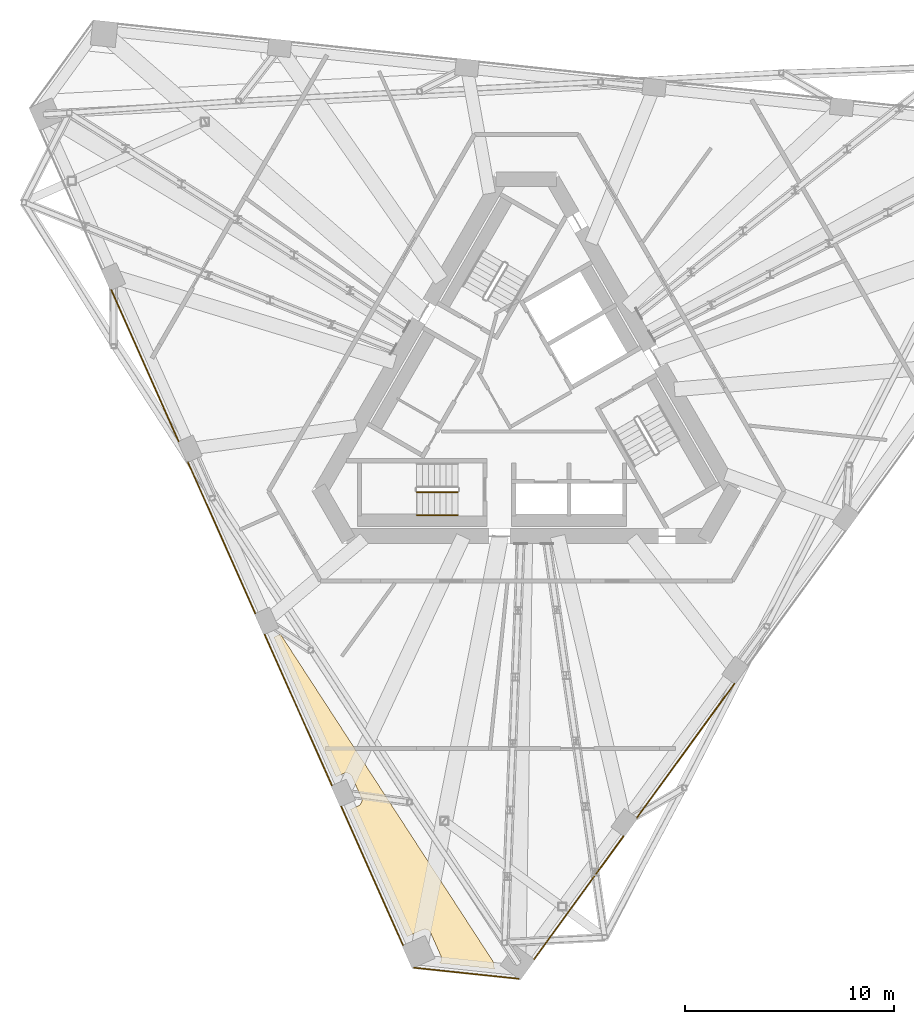
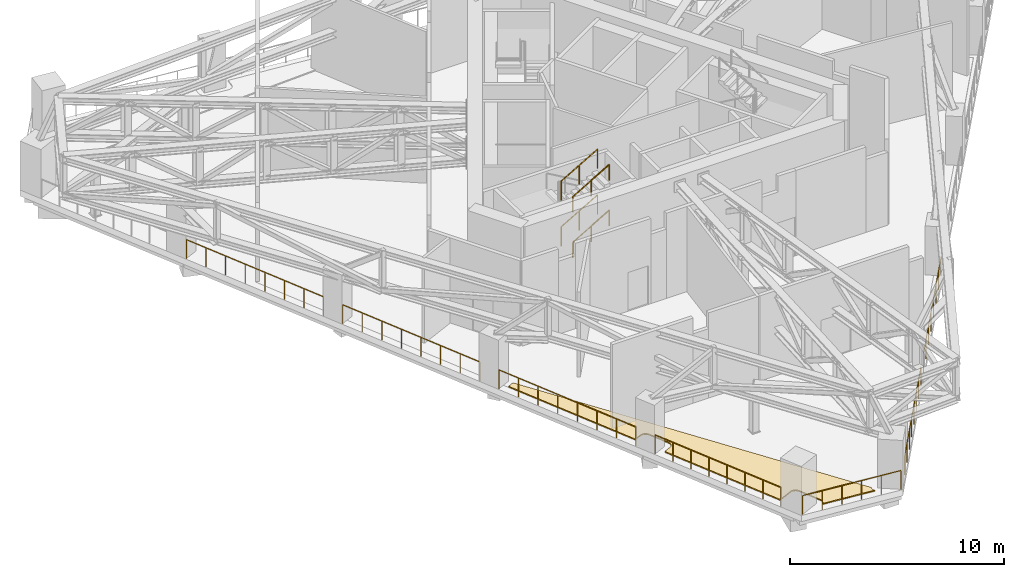
# One storey, part 16 of 20: 11 railings, 2 coverings.
"""IFC4 building model written with IfcOpenShell, lengths in metres."""

from ifc_helpers import new_model, si_unit, direction, frame, origin, origin_2d, place, context, subcontext, project, spatial, polyline, circle, outline, extrude, material, layer, layer_set, type_object, element, save


model = new_model("IFC4")

# Units and contexts
model_context = context("Model", 3, precision=1e-05, world=origin(), true_north=direction((0.0, 1.0)))
body_context = subcontext(model_context, "Body", "Model", "MODEL_VIEW")
ifc_project = project(units=[si_unit("LENGTHUNIT", "METRE"), si_unit("AREAUNIT", "SQUARE_METRE"), si_unit("VOLUMEUNIT", "CUBIC_METRE"), si_unit("PLANEANGLEUNIT", "RADIAN"), si_unit("MASSUNIT", "GRAM", prefix="KILO")], contexts=[model_context])

# Site, building, storey
site_placement = place(None, origin())
site = spatial("IfcSite", under=ifc_project, at=site_placement, CompositionType="ELEMENT")
building_placement = place(site_placement, origin())
building = spatial("IfcBuilding", under=site, at=building_placement, Name="Tramontana Tower", CompositionType="ELEMENT")
storey_placement = place(building_placement, frame((0.0, 0.0, 269.199951171875)))
storey = spatial("IfcBuildingStorey", under=building, at=storey_placement, Name="L63", CompositionType="ELEMENT", Elevation=269.199951171875)

# Railings
ifc_material_1 = material(Name="Stainless steel rail and posts", Category="steel")
railing_type_1 = type_object("IfcRailingType", Name="GD2 Terrace guard 1100", PredefinedType="GUARDRAIL", material=ifc_material_1)
railing_1_placement = place(storey_placement, frame((-19.84228515625, 5.35205078125, 0.0)))
element("IfcRailing", 1, at=railing_1_placement, inside=storey, type_object=railing_type_1, Name="Edge guard L63 3", PredefinedType="GUARDRAIL", context=body_context, shape_type="SweptSolid", body=[
    extrude(circle(Radius=0.02392578125, at=origin_2d()), frame((0.0, 0.0, 1.076171875), z_axis=(0.406722833541, -0.913551605918, 0.0), x_axis=(0.913551605918, 0.406722833541, 0.0)), (0.0, 0.0, 1.0), 7.90673828125),
    extrude(circle(Radius=0.02099609375, at=origin_2d()), origin(), (0.0, 0.0, 1.0), 1.052001953125),
    extrude(circle(Radius=0.02099609375, at=origin_2d()), frame((0.45947265625, -1.031982421875, 0.0)), (0.0, 0.0, 1.0), 1.052001953125),
    extrude(circle(Radius=0.02099609375, at=origin_2d()), frame((0.918701171875, -2.063720703125, 0.0)), (0.0, 0.0, 1.0), 1.052001953125),
    extrude(circle(Radius=0.02099609375, at=origin_2d()), frame((1.378173828125, -3.095703125, 0.0)), (0.0, 0.0, 1.0), 1.052001953125),
    extrude(circle(Radius=0.02099609375, at=origin_2d()), frame((1.837646484375, -4.12744140625, 0.0)), (0.0, 0.0, 1.0), 1.052001953125),
    extrude(circle(Radius=0.02099609375, at=origin_2d()), frame((2.297119140625, -5.159423828125, 0.0)), (0.0, 0.0, 1.0), 1.052001953125),
    extrude(circle(Radius=0.02099609375, at=origin_2d()), frame((2.75634765625, -6.191162109375, 0.0)), (0.0, 0.0, 1.0), 1.052001953125),
    extrude(circle(Radius=0.02099609375, at=origin_2d()), frame((3.2158203125, -7.22314453125, 0.0)), (0.0, 0.0, 1.0), 1.052001953125),
])
for number, where, name in (
    (2, (-16.178955078125, -2.8759765625, 0.0), "Edge guard L63 5"),
    (3, (-12.515625, -11.10400390625, 0.0), "Edge guard L63 6"),
):
    element("IfcRailing", number, at=place(storey_placement, frame(where)), inside=storey, type_object=railing_type_1, Name=name, PredefinedType="GUARDRAIL", context=body_context, shape_type="SweptSolid", body=[
        extrude(circle(Radius=0.02392578125, at=origin_2d()), frame((0.0, 0.0, 1.076171875), z_axis=(0.406734306872, -0.913546497784, 0.0), x_axis=(0.913546497784, 0.406734306872, 0.0)), (0.0, 0.0, 1.0), 7.906494140625),
        extrude(circle(Radius=0.02099609375, at=origin_2d()), origin(), (0.0, 0.0, 1.0), 1.052001953125),
        extrude(circle(Radius=0.02099609375, at=origin_2d()), frame((0.45947265625, -1.03173828125, 0.0)), (0.0, 0.0, 1.0), 1.052001953125),
        extrude(circle(Radius=0.02099609375, at=origin_2d()), frame((0.918701171875, -2.063720703125, 0.0)), (0.0, 0.0, 1.0), 1.052001953125),
        extrude(circle(Radius=0.02099609375, at=origin_2d()), frame((1.378173828125, -3.095458984375, 0.0)), (0.0, 0.0, 1.0), 1.052001953125),
        extrude(circle(Radius=0.02099609375, at=origin_2d()), frame((1.837646484375, -4.12744140625, 0.0)), (0.0, 0.0, 1.0), 1.052001953125),
        extrude(circle(Radius=0.02099609375, at=origin_2d()), frame((2.297119140625, -5.1591796875, 0.0)), (0.0, 0.0, 1.0), 1.052001953125),
        extrude(circle(Radius=0.02099609375, at=origin_2d()), frame((2.75634765625, -6.191162109375, 0.0)), (0.0, 0.0, 1.0), 1.052001953125),
        extrude(circle(Radius=0.02099609375, at=origin_2d()), frame((3.2158203125, -7.222900390625, 0.0)), (0.0, 0.0, 1.0), 1.052001953125),
    ])
railing_2_placement = place(storey_placement, frame((-8.852294921875, -19.331787109375, 0.0)))
element("IfcRailing", 4, at=railing_2_placement, inside=storey, type_object=railing_type_1, Name="Edge guard L63 8", PredefinedType="GUARDRAIL", context=body_context, shape_type="SweptSolid", body=[
    extrude(circle(Radius=0.02392578125, at=origin_2d()), frame((0.0, 0.0, 1.076171875), z_axis=(0.406715873332, -0.913554704645, 0.0), x_axis=(0.913554704645, 0.406715873332, 0.0)), (0.0, 0.0, 1.0), 7.256591796875),
    extrude(circle(Radius=0.02099609375, at=origin_2d()), origin(), (0.0, 0.0, 1.0), 1.052001953125),
    extrude(circle(Radius=0.02099609375, at=origin_2d()), frame((0.421630859375, -0.947021484375, 0.0)), (0.0, 0.0, 1.0), 1.052001953125),
    extrude(circle(Radius=0.02099609375, at=origin_2d()), frame((0.84326171875, -1.89404296875, 0.0)), (0.0, 0.0, 1.0), 1.052001953125),
    extrude(circle(Radius=0.02099609375, at=origin_2d()), frame((1.264892578125, -2.841064453125, 0.0)), (0.0, 0.0, 1.0), 1.052001953125),
    extrude(circle(Radius=0.02099609375, at=origin_2d()), frame((1.6865234375, -3.788330078125, 0.0)), (0.0, 0.0, 1.0), 1.052001953125),
    extrude(circle(Radius=0.02099609375, at=origin_2d()), frame((2.108154296875, -4.7353515625, 0.0)), (0.0, 0.0, 1.0), 1.052001953125),
    extrude(circle(Radius=0.02099609375, at=origin_2d()), frame((2.52978515625, -5.682373046875, 0.0)), (0.0, 0.0, 1.0), 1.052001953125),
    extrude(circle(Radius=0.02099609375, at=origin_2d()), frame((2.951416015625, -6.62939453125, 0.0)), (0.0, 0.0, 1.0), 1.052001953125),
])
railing_3_placement = place(storey_placement, frame((-5.366943359375, -27.037109375, 0.0)))
element("IfcRailing", 5, at=railing_3_placement, inside=storey, type_object=railing_type_1, Name="Edge guard L63 9", PredefinedType="GUARDRAIL", context=body_context, shape_type="SweptSolid", body=[
    extrude(circle(Radius=0.02392578125, at=origin_2d()), frame((0.0, 0.0, 1.076171875), z_axis=(0.994519559485, -0.104550685326, 0.0), x_axis=(0.104550685326, 0.994519559485, 0.0)), (0.0, 0.0, 1.0), 5.02294921875),
    extrude(circle(Radius=0.02099609375, at=origin_2d()), origin(), (0.0, 0.0, 1.0), 1.052001953125),
    extrude(circle(Radius=0.02099609375, at=origin_2d()), frame((0.9990234375, -0.10498046875, 0.0)), (0.0, 0.0, 1.0), 1.052001953125),
    extrude(circle(Radius=0.02099609375, at=origin_2d()), frame((1.998046875, -0.2099609375, 0.0)), (0.0, 0.0, 1.0), 1.052001953125),
    extrude(circle(Radius=0.02099609375, at=origin_2d()), frame((2.997314453125, -0.315185546875, 0.0)), (0.0, 0.0, 1.0), 1.052001953125),
    extrude(circle(Radius=0.02099609375, at=origin_2d()), frame((3.996337890625, -0.420166015625, 0.0)), (0.0, 0.0, 1.0), 1.052001953125),
    extrude(circle(Radius=0.02099609375, at=origin_2d()), frame((4.995361328125, -0.525146484375, 0.0)), (0.0, 0.0, 1.0), 1.052001953125),
])
railing_4_placement = place(storey_placement, frame((0.374267578125, -26.62060546875, 0.0)))
element("IfcRailing", 6, at=railing_4_placement, inside=storey, type_object=railing_type_1, Name="Edge guard L63 11", PredefinedType="GUARDRAIL", context=body_context, shape_type="SweptSolid", body=[
    extrude(circle(Radius=0.02392578125, at=origin_2d()), frame((0.0, 0.0, 1.076171875), z_axis=(0.587797547793, 0.809008061028, 0.0), x_axis=(-0.809008061028, 0.587797547793, 0.0)), (0.0, 0.0, 1.0), 7.256591796875),
    extrude(circle(Radius=0.02099609375, at=origin_2d()), origin(), (0.0, 0.0, 1.0), 1.052001953125),
    extrude(circle(Radius=0.02099609375, at=origin_2d()), frame((0.609375, 0.838623046875, 0.0)), (0.0, 0.0, 1.0), 1.052001953125),
    extrude(circle(Radius=0.02099609375, at=origin_2d()), frame((1.21875, 1.67724609375, 0.0)), (0.0, 0.0, 1.0), 1.052001953125),
    extrude(circle(Radius=0.02099609375, at=origin_2d()), frame((1.828125, 2.515869140625, 0.0)), (0.0, 0.0, 1.0), 1.052001953125),
    extrude(circle(Radius=0.02099609375, at=origin_2d()), frame((2.437255859375, 3.354736328125, 0.0)), (0.0, 0.0, 1.0), 1.052001953125),
    extrude(circle(Radius=0.02099609375, at=origin_2d()), frame((3.046630859375, 4.193359375, 0.0)), (0.0, 0.0, 1.0), 1.052001953125),
    extrude(circle(Radius=0.02099609375, at=origin_2d()), frame((3.656005859375, 5.031982421875, 0.0)), (0.0, 0.0, 1.0), 1.052001953125),
    extrude(circle(Radius=0.02099609375, at=origin_2d()), frame((4.265380859375, 5.87060546875, 0.0)), (0.0, 0.0, 1.0), 1.052001953125),
])
railing_5_placement = place(storey_placement, frame((5.2861328125, -19.860107421875, 0.0)))
element("IfcRailing", 7, at=railing_5_placement, inside=storey, type_object=railing_type_1, Name="Edge guard L63 12", PredefinedType="GUARDRAIL", context=body_context, shape_type="SweptSolid", body=[
    extrude(circle(Radius=0.02392578125, at=origin_2d()), frame((0.0, 0.0, 1.076171875), z_axis=(0.587782407267, 0.809019061399, 0.0), x_axis=(-0.809019061399, 0.587782407267, 0.0)), (0.0, 0.0, 1.0), 7.90673828125),
    extrude(circle(Radius=0.02099609375, at=origin_2d()), origin(), (0.0, 0.0, 1.0), 1.052001953125),
    extrude(circle(Radius=0.02099609375, at=origin_2d()), frame((0.663818359375, 0.913818359375, 0.0)), (0.0, 0.0, 1.0), 1.052001953125),
    extrude(circle(Radius=0.02099609375, at=origin_2d()), frame((1.327880859375, 1.82763671875, 0.0)), (0.0, 0.0, 1.0), 1.052001953125),
    extrude(circle(Radius=0.02099609375, at=origin_2d()), frame((1.99169921875, 2.741455078125, 0.0)), (0.0, 0.0, 1.0), 1.052001953125),
    extrude(circle(Radius=0.02099609375, at=origin_2d()), frame((2.65576171875, 3.6552734375, 0.0)), (0.0, 0.0, 1.0), 1.052001953125),
    extrude(circle(Radius=0.02099609375, at=origin_2d()), frame((3.319580078125, 4.569091796875, 0.0)), (0.0, 0.0, 1.0), 1.052001953125),
    extrude(circle(Radius=0.02099609375, at=origin_2d()), frame((3.983642578125, 5.48291015625, 0.0)), (0.0, 0.0, 1.0), 1.052001953125),
    extrude(circle(Radius=0.02099609375, at=origin_2d()), frame((4.6474609375, 6.396728515625, 0.0)), (0.0, 0.0, 1.0), 1.052001953125),
])

# Covering
ifc_material_2 = material(Name="Limestone paving 60", Category="masonry")
ifc_layer_1 = layer(ifc_material_2, 0.06005859375)
ifc_layer_set_1 = layer_set([ifc_layer_1], Name="PV1 Terrace paving 60")
covering_type_1 = type_object("IfcCoveringType", Name="PV1 Terrace paving 60", PredefinedType="FLOORING", material=ifc_layer_set_1)
covering_1_placement = place(storey_placement, frame((0.0, 0.0, 0.010009765625)))
element("IfcCovering", 8, at=covering_1_placement, inside=storey, type_object=covering_type_1, Name="Terrace paving L63 2", PredefinedType="FLOORING", context=body_context, shape_type="SweptSolid", body=[
    extrude(outline(polyline([(-4.160888671875, -26.81201171875), (-4.14453125, -26.796142578125), (-4.125244140625, -26.77392578125), (-4.1083984375, -26.749755859375), (-4.093994140625, -26.72412109375), (-4.08203125, -26.697265625), (-4.07275390625, -26.669189453125), (-4.06640625, -26.640380859375), (-4.06298828125, -26.611328125), (-4.062255859375, -26.581787109375), (-4.064453125, -26.552490234375), (-4.069580078125, -26.5234375), (-4.077392578125, -26.4951171875), (-4.088134765625, -26.4677734375), (-4.576171875, -25.371337890625), (-4.58935546875, -25.34521484375), (-4.605224609375, -25.3203125), (-4.623291015625, -25.297119140625), (-4.643798828125, -25.27587890625), (-4.666015625, -25.256591796875), (-4.690185546875, -25.23974609375), (-4.7158203125, -25.225341796875), (-4.74267578125, -25.21337890625), (-4.770751953125, -25.2041015625), (-4.79931640625, -25.19775390625), (-4.82861328125, -25.1943359375), (-4.858154296875, -25.193603515625), (-4.887451171875, -25.19580078125), (-4.91650390625, -25.200927734375), (-4.94482421875, -25.208740234375), (-4.97216796875, -25.219482421875), (-5.703125, -25.544677734375), (-8.41064453125, -19.463623046875), (-8.045166015625, -19.301025390625), (-8.018798828125, -19.28759765625), (-7.994140625, -19.271728515625), (-7.970947265625, -19.253662109375), (-7.949462890625, -19.2333984375), (-7.930419921875, -19.2109375), (-7.91357421875, -19.18701171875), (-7.89892578125, -19.161376953125), (-7.88720703125, -19.13427734375), (-7.8779296875, -19.1064453125), (-7.87158203125, -19.07763671875), (-7.867919921875, -19.04833984375), (-7.8671875, -19.01904296875), (-7.869384765625, -18.98974609375), (-7.87451171875, -18.960693359375), (-7.882568359375, -18.932373046875), (-7.89306640625, -18.90478515625), (-8.340576171875, -17.89990234375), (-8.353759765625, -17.87353515625), (-8.36962890625, -17.848876953125), (-8.3876953125, -17.82568359375), (-8.407958984375, -17.804443359375), (-8.430419921875, -17.78515625), (-8.45458984375, -17.768310546875), (-8.480224609375, -17.753662109375), (-8.507080078125, -17.741943359375), (-8.53515625, -17.732666015625), (-8.563720703125, -17.726318359375), (-8.593017578125, -17.72265625), (-8.62255859375, -17.721923828125), (-8.65185546875, -17.724365234375), (-8.680908203125, -17.729248046875), (-8.709228515625, -17.7373046875), (-8.736572265625, -17.747802734375), (-9.10205078125, -17.91064453125), (-12.073974609375, -11.235595703125), (-11.75439453125, -11.09326171875), (-1.544189453125, -26.815673828125), (-1.544921875, -26.8173828125), (-1.55322265625, -26.845458984375), (-1.55859375, -26.87451171875), (-1.561279296875, -26.90380859375), (-1.56103515625, -26.933349609375), (-1.557861328125, -26.96240234375), (-1.5517578125, -26.9912109375), (-1.54296875, -27.01953125), (-1.531494140625, -27.04638671875), (-1.517333984375, -27.072265625), (-1.50439453125, -27.091064453125), (-4.160888671875, -26.81201171875)])), origin(), (0.0, 0.0, 1.0), 0.06005859375),
])

# Railings
ifc_material_3 = material(Name="Painted steel", Category="steel")
railing_type_2 = type_object("IfcRailingType", Name="STAIR GUARD 1100", PredefinedType="GUARDRAIL", material=ifc_material_3)
for number, where, name in (
    (9, (-5.239990234375, -4.300048828125, 1.462646484375), "L63 ST2 stair guard 2"),
    (10, (-5.239990234375, -4.300048828125, 4.0625), "L63 ST2 stair guard 4"),
):
    element("IfcRailing", number, at=place(storey_placement, frame(where)), inside=storey, type_object=railing_type_2, Name=name, PredefinedType="GUARDRAIL", context=body_context, shape_type="SweptSolid", body=[
        extrude(circle(Radius=0.02392578125, at=origin_2d()), frame((0.0, 0.0, 1.076171875), z_axis=(0.864902109995, 0.0, 0.501940574298), x_axis=(0.0, 1.0, 0.0)), (0.0, 0.0, 1.0), 2.26611328125),
        extrude(circle(Radius=0.02099609375, at=origin_2d()), origin(), (0.0, 0.0, 1.0), 1.052001953125),
        extrude(circle(Radius=0.02099609375, at=origin_2d()), frame((0.97998046875, 0.0, 0.56884765625)), (0.0, 0.0, 1.0), 1.052001953125),
        extrude(circle(Radius=0.02099609375, at=origin_2d()), frame((1.9599609375, 0.0, 1.137451171875)), (0.0, 0.0, 1.0), 1.052001953125),
    ])
ifc_material_4 = material(Name="Painted steel", Category="steel")
railing_type_3 = type_object("IfcRailingType", Name="STAIR HANDRAIL 900", PredefinedType="HANDRAIL", material=ifc_material_4)
for number, where, name in (
    (11, (-5.239990234375, -5.39990234375, 1.462646484375), "L63 ST2 stair handrail 2"),
    (12, (-5.239990234375, -5.39990234375, 4.0625), "L63 ST2 stair handrail 4"),
):
    element("IfcRailing", number, at=place(storey_placement, frame(where)), inside=storey, type_object=railing_type_3, Name=name, PredefinedType="HANDRAIL", context=body_context, shape_type="SweptSolid", body=[
        extrude(circle(Radius=0.02392578125, at=origin_2d()), frame((0.0, 0.0, 0.8759765625), z_axis=(0.864902109995, 0.0, 0.501940574298), x_axis=(0.0, 1.0, 0.0)), (0.0, 0.0, 1.0), 2.26611328125),
        extrude(circle(Radius=0.02099609375, at=origin_2d()), origin(), (0.0, 0.0, 1.0), 0.851806640625),
        extrude(circle(Radius=0.02099609375, at=origin_2d()), frame((0.97998046875, 0.0, 0.56884765625)), (0.0, 0.0, 1.0), 0.851806640625),
        extrude(circle(Radius=0.02099609375, at=origin_2d()), frame((1.9599609375, 0.0, 1.137451171875)), (0.0, 0.0, 1.0), 0.851806640625),
    ])

# Covering
ifc_material_5 = material(Name="Bituminous waterproofing membrane")
ifc_layer_2 = layer(ifc_material_5, 0.010009765625)
ifc_layer_set_2 = layer_set([ifc_layer_2], Name="WP1 Terrace waterproofing membrane 10")
covering_type_2 = type_object("IfcCoveringType", Name="WP1 Terrace waterproofing membrane 10", PredefinedType="MEMBRANE", material=ifc_layer_set_2)
covering_2_placement = place(storey_placement, origin())
element("IfcCovering", 13, at=covering_2_placement, inside=storey, type_object=covering_type_2, Name="Terrace membrane L63 2", PredefinedType="MEMBRANE", context=body_context, shape_type="SweptSolid", body=[
    extrude(outline(polyline([(-4.160888671875, -26.81201171875), (-4.14453125, -26.796142578125), (-4.125244140625, -26.77392578125), (-4.1083984375, -26.749755859375), (-4.093994140625, -26.72412109375), (-4.08203125, -26.697265625), (-4.07275390625, -26.669189453125), (-4.06640625, -26.640380859375), (-4.06298828125, -26.611328125), (-4.062255859375, -26.581787109375), (-4.064453125, -26.552490234375), (-4.069580078125, -26.5234375), (-4.077392578125, -26.4951171875), (-4.088134765625, -26.4677734375), (-4.576171875, -25.371337890625), (-4.58935546875, -25.34521484375), (-4.605224609375, -25.3203125), (-4.623291015625, -25.297119140625), (-4.643798828125, -25.27587890625), (-4.666015625, -25.256591796875), (-4.690185546875, -25.23974609375), (-4.7158203125, -25.225341796875), (-4.74267578125, -25.21337890625), (-4.770751953125, -25.2041015625), (-4.79931640625, -25.19775390625), (-4.82861328125, -25.1943359375), (-4.858154296875, -25.193603515625), (-4.887451171875, -25.19580078125), (-4.91650390625, -25.200927734375), (-4.94482421875, -25.208740234375), (-4.97216796875, -25.219482421875), (-5.703125, -25.544677734375), (-8.41064453125, -19.463623046875), (-8.045166015625, -19.301025390625), (-8.018798828125, -19.28759765625), (-7.994140625, -19.271728515625), (-7.970947265625, -19.253662109375), (-7.949462890625, -19.2333984375), (-7.930419921875, -19.2109375), (-7.91357421875, -19.18701171875), (-7.89892578125, -19.161376953125), (-7.88720703125, -19.13427734375), (-7.8779296875, -19.1064453125), (-7.87158203125, -19.07763671875), (-7.867919921875, -19.04833984375), (-7.8671875, -19.01904296875), (-7.869384765625, -18.98974609375), (-7.87451171875, -18.960693359375), (-7.882568359375, -18.932373046875), (-7.89306640625, -18.90478515625), (-8.340576171875, -17.89990234375), (-8.353759765625, -17.87353515625), (-8.36962890625, -17.848876953125), (-8.3876953125, -17.82568359375), (-8.407958984375, -17.804443359375), (-8.430419921875, -17.78515625), (-8.45458984375, -17.768310546875), (-8.480224609375, -17.753662109375), (-8.507080078125, -17.741943359375), (-8.53515625, -17.732666015625), (-8.563720703125, -17.726318359375), (-8.593017578125, -17.72265625), (-8.62255859375, -17.721923828125), (-8.65185546875, -17.724365234375), (-8.680908203125, -17.729248046875), (-8.709228515625, -17.7373046875), (-8.736572265625, -17.747802734375), (-9.10205078125, -17.91064453125), (-12.073974609375, -11.235595703125), (-11.75439453125, -11.09326171875), (-1.544189453125, -26.815673828125), (-1.544921875, -26.8173828125), (-1.55322265625, -26.845458984375), (-1.55859375, -26.87451171875), (-1.561279296875, -26.90380859375), (-1.56103515625, -26.933349609375), (-1.557861328125, -26.96240234375), (-1.5517578125, -26.9912109375), (-1.54296875, -27.01953125), (-1.531494140625, -27.04638671875), (-1.517333984375, -27.072265625), (-1.50439453125, -27.091064453125), (-4.160888671875, -26.81201171875)])), origin(), (0.0, 0.0, 1.0), 0.010009765625),
])

save(model, "model.ifc")
